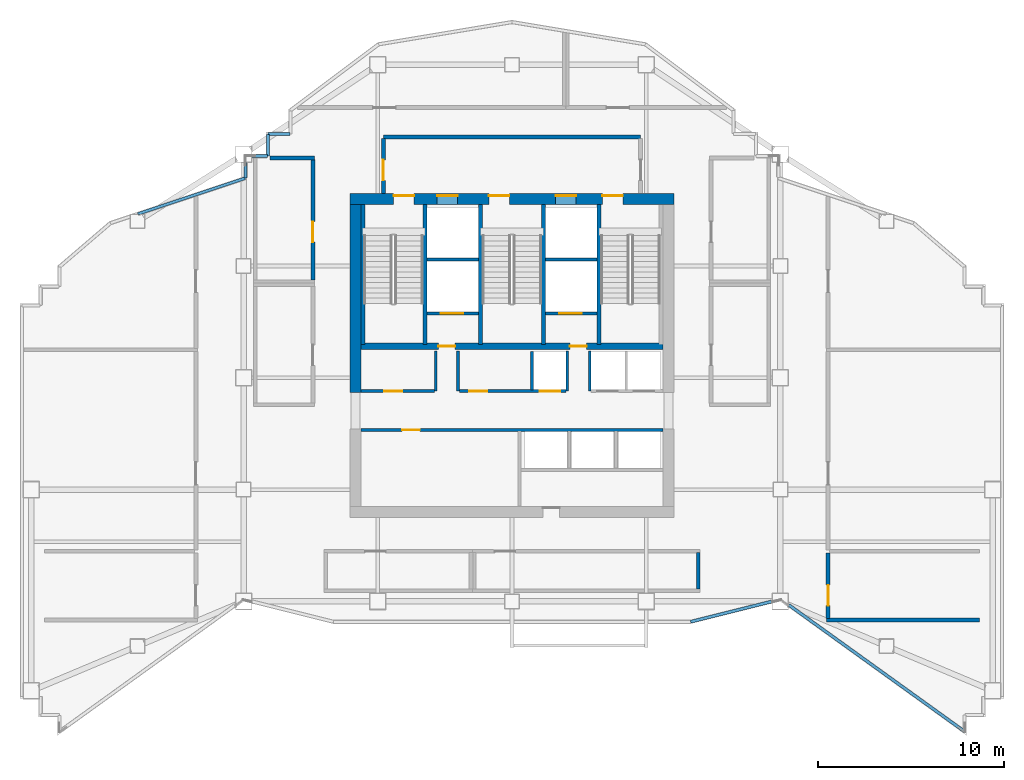
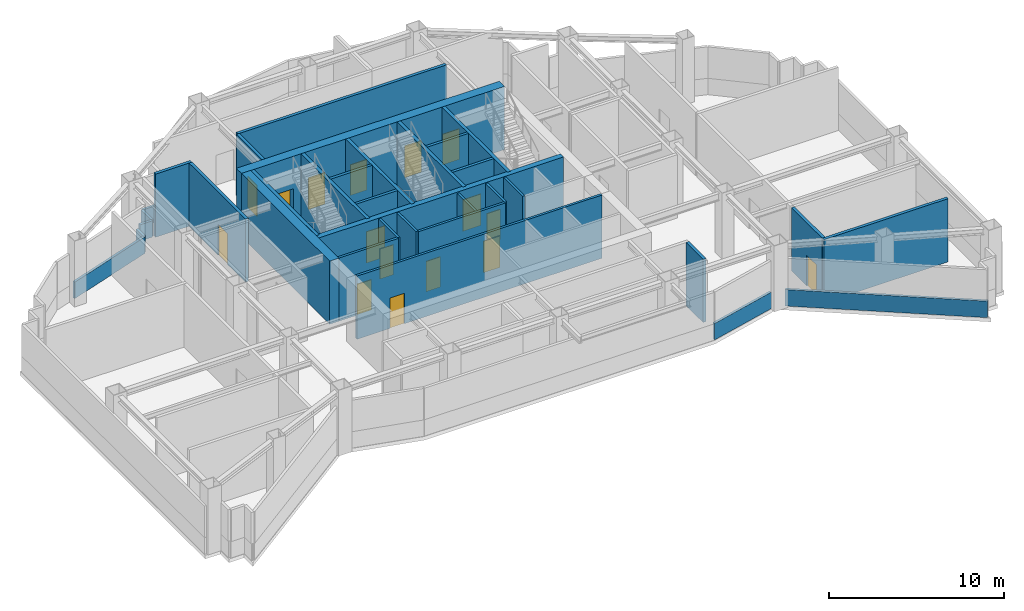
# One storey, part 3 of 9: 34 walls, 16 doors, 16 openings.
"""IFC4 building model written with IfcOpenShell, lengths in metres."""

from ifc_helpers import new_model, si_unit, direction, frame, frame_2d, origin, place, context, subcontext, project, spatial, rectangle, extrude, material, layer, layer_set, type_object, element, fill, save


model = new_model("IFC4")

# Units and contexts
model_context = context("Model", 3, precision=1e-05, world=origin(), true_north=direction((0.0, 1.0)))
body_context = subcontext(model_context, "Body", "Model", "MODEL_VIEW")
ifc_project = project(units=[si_unit("LENGTHUNIT", "METRE"), si_unit("AREAUNIT", "SQUARE_METRE"), si_unit("VOLUMEUNIT", "CUBIC_METRE"), si_unit("PLANEANGLEUNIT", "RADIAN"), si_unit("MASSUNIT", "GRAM", prefix="KILO")], contexts=[model_context])

# Site, building, storey
site_placement = place(None, origin())
site = spatial("IfcSite", under=ifc_project, at=site_placement, CompositionType="ELEMENT")
building_placement = place(site_placement, origin())
building = spatial("IfcBuilding", under=site, at=building_placement, Name="Haolan Belvedere Tower", CompositionType="ELEMENT")
storey_placement = place(building_placement, frame((0.0, 0.0, 207.0)))
storey = spatial("IfcBuildingStorey", under=building, at=storey_placement, Name="L52", CompositionType="ELEMENT", Elevation=207.0)

# Wall, openings, doors
ifc_material_1 = material(Name="Concrete C60/75", Category="concrete")
ifc_layer_1 = layer(ifc_material_1, 0.60009765625, Name="Concrete C60/75")
ifc_layer_set_1 = layer_set([ifc_layer_1], Name="Concrete C60/75")
wall_type_1 = type_object("IfcWallType", Name="WL-CORE-600", PredefinedType="SHEAR", material=ifc_layer_set_1)
wall_1_placement = place(storey_placement, frame((29.699951171875, 43.199951171875, 0.0), z_axis=(0.0, 0.0, 1.0), x_axis=(1.0, 0.0, 0.0)))
wall_1 = element("IfcWall", 1, at=wall_1_placement, inside=storey, type_object=wall_type_1, Name="L52 central core north shear wall", PredefinedType="SHEAR", context=body_context, shape_type="SweptSolid", body=[
    extrude(rectangle(XDim=17.400146484375, YDim=0.60009765625, at=frame_2d((8.7001953125, 0.0))), origin(), (0.0, 0.0, 1.0), 4.419921875),
])
opening_1_placement = place(wall_1_placement, frame((2.35009765625, 0.0, 0.0)))
opening_1 = element("IfcOpeningElement", 2, at=opening_1_placement, cuts=wall_1, Name="Opening FD-03", PredefinedType="OPENING", context=body_context, shape_type="SweptSolid", body=[
    extrude(rectangle(XDim=1.10009765625, YDim=2.14990234375, at=frame_2d((0.550048828125, 1.074951171875))), frame((0.0, 0.31005859375, 0.0), z_axis=(0.0, -1.0, 0.0), x_axis=(1.0, 0.0, 0.0)), (0.0, 0.0, 1.0), 0.6201171875),
])
opening_2_placement = place(wall_1_placement, frame((7.4599609375, 0.0, 0.0)))
opening_2 = element("IfcOpeningElement", 3, at=opening_2_placement, cuts=wall_1, Name="Opening FD-03", PredefinedType="OPENING", context=body_context, shape_type="SweptSolid", body=[
    extrude(rectangle(XDim=1.10009765625, YDim=2.14990234375, at=frame_2d((0.550048828125, 1.074951171875))), frame((0.0, 0.31005859375, 0.0), z_axis=(0.0, -1.0, 0.0), x_axis=(1.0, 0.0, 0.0)), (0.0, 0.0, 1.0), 0.6201171875),
])
opening_3_placement = place(wall_1_placement, frame((13.550048828125, 0.0, 0.0)))
opening_3 = element("IfcOpeningElement", 4, at=opening_3_placement, cuts=wall_1, Name="Opening FD-03", PredefinedType="OPENING", context=body_context, shape_type="SweptSolid", body=[
    extrude(rectangle(XDim=1.10009765625, YDim=2.14990234375, at=frame_2d((0.550048828125, 1.074951171875))), frame((0.0, 0.31005859375, 0.0), z_axis=(0.0, -1.0, 0.0), x_axis=(1.0, 0.0, 0.0)), (0.0, 0.0, 1.0), 0.6201171875),
])
opening_4_placement = place(wall_1_placement, frame((4.679931640625, 0.0, 0.0)))
opening_4 = element("IfcOpeningElement", 5, at=opening_4_placement, cuts=wall_1, Name="Opening LD-01", PredefinedType="OPENING", context=body_context, shape_type="SweptSolid", body=[
    extrude(rectangle(XDim=1.10009765625, YDim=2.199951171875, at=frame_2d((0.550048828125, 1.10009765625))), frame((0.0, 0.31005859375, 0.0), z_axis=(0.0, -1.0, 0.0), x_axis=(1.0, 0.0, 0.0)), (0.0, 0.0, 1.0), 0.6201171875),
])
opening_5_placement = place(wall_1_placement, frame((11.0400390625, 0.0, 0.0)))
opening_5 = element("IfcOpeningElement", 6, at=opening_5_placement, cuts=wall_1, Name="Opening LD-01", PredefinedType="OPENING", context=body_context, shape_type="SweptSolid", body=[
    extrude(rectangle(XDim=1.10009765625, YDim=2.199951171875, at=frame_2d((0.550048828125, 1.10009765625))), frame((0.0, 0.31005859375, 0.0), z_axis=(0.0, -1.0, 0.0), x_axis=(1.0, 0.0, 0.0)), (0.0, 0.0, 1.0), 0.6201171875),
])
ifc_material_2 = material(Name="Galvanised fire-rated steel", Category="steel")
door_type_1 = type_object("IfcDoorType", Name="DR-FD90-1100", OperationType="NOTDEFINED", PredefinedType="DOOR", material=ifc_material_2)
door_1_placement = place(opening_1_placement, origin())
door_1 = element("IfcDoor", 7, at=door_1_placement, inside=storey, type_object=door_type_1, Name="L52 door CD-L52-ST1", OperationType="SINGLE_SWING_LEFT", OverallHeight=2.14990234375, OverallWidth=1.10009765625, PredefinedType="DOOR", context=body_context, shape_type="SweptSolid", body=[
    extrude(rectangle(XDim=1.10009765625, YDim=2.14990234375, at=frame_2d((0.550048828125, 1.074951171875))), frame((0.0, 0.18505859375, 0.0), z_axis=(0.0, -1.0, 0.0), x_axis=(1.0, 0.0, 0.0)), (0.0, 0.0, 1.0), 0.050048828125),
])
fill(opening_1, door_1)
door_2_placement = place(opening_2_placement, origin())
door_2 = element("IfcDoor", 8, at=door_2_placement, inside=storey, type_object=door_type_1, Name="L52 door CD-L52-ST3", OperationType="SINGLE_SWING_LEFT", OverallHeight=2.14990234375, OverallWidth=1.10009765625, PredefinedType="DOOR", context=body_context, shape_type="SweptSolid", body=[
    extrude(rectangle(XDim=1.10009765625, YDim=2.14990234375, at=frame_2d((0.550048828125, 1.074951171875))), frame((0.0, 0.18505859375, 0.0), z_axis=(0.0, -1.0, 0.0), x_axis=(1.0, 0.0, 0.0)), (0.0, 0.0, 1.0), 0.050048828125),
])
fill(opening_2, door_2)
door_3_placement = place(opening_3_placement, origin())
door_3 = element("IfcDoor", 9, at=door_3_placement, inside=storey, type_object=door_type_1, Name="L52 door CD-L52-ST2", OperationType="SINGLE_SWING_RIGHT", OverallHeight=2.14990234375, OverallWidth=1.10009765625, PredefinedType="DOOR", context=body_context, shape_type="SweptSolid", body=[
    extrude(rectangle(XDim=1.10009765625, YDim=2.14990234375, at=frame_2d((0.550048828125, 1.074951171875))), frame((0.0, 0.18505859375, 0.0), z_axis=(0.0, -1.0, 0.0), x_axis=(1.0, 0.0, 0.0)), (0.0, 0.0, 1.0), 0.050048828125),
])
fill(opening_3, door_3)
ifc_material_3 = material(Name="Brushed champagne stainless steel 316L", Category="steel")
door_type_2 = type_object("IfcDoorType", Name="DR-LIFT-1100", OperationType="SLIDING_TO_LEFT", PredefinedType="DOOR", material=ifc_material_3)
door_4_placement = place(opening_4_placement, origin())
door_4 = element("IfcDoor", 10, at=door_4_placement, inside=storey, type_object=door_type_2, Name="L52 door LD-L52-FF1", OperationType="SLIDING_TO_LEFT", OverallHeight=2.199951171875, OverallWidth=1.10009765625, PredefinedType="DOOR", context=body_context, shape_type="SweptSolid", body=[
    extrude(rectangle(XDim=1.10009765625, YDim=2.199951171875, at=frame_2d((0.550048828125, 1.10009765625))), frame((0.0, 0.18505859375, 0.0), z_axis=(0.0, -1.0, 0.0), x_axis=(1.0, 0.0, 0.0)), (0.0, 0.0, 1.0), 0.050048828125),
])
fill(opening_4, door_4)
door_5_placement = place(opening_5_placement, origin())
door_5 = element("IfcDoor", 11, at=door_5_placement, inside=storey, type_object=door_type_2, Name="L52 door LD-L52-FF2", OperationType="SLIDING_TO_LEFT", OverallHeight=2.199951171875, OverallWidth=1.10009765625, PredefinedType="DOOR", context=body_context, shape_type="SweptSolid", body=[
    extrude(rectangle(XDim=1.10009765625, YDim=2.199951171875, at=frame_2d((0.550048828125, 1.10009765625))), frame((0.0, 0.18505859375, 0.0), z_axis=(0.0, -1.0, 0.0), x_axis=(1.0, 0.0, 0.0)), (0.0, 0.0, 1.0), 0.050048828125),
])
fill(opening_5, door_5)

# Walls
wall_2_placement = place(storey_placement, frame((30.0, 32.800048828125, 0.0), z_axis=(0.0, 0.0, 1.0), x_axis=(0.0, 1.0, 0.0)))
element("IfcWall", 12, at=wall_2_placement, inside=storey, type_object=wall_type_1, Name="L52 central core shear wall WN", PredefinedType="SHEAR", context=body_context, shape_type="SweptSolid", body=[
    extrude(rectangle(XDim=10.099853515625, YDim=0.60009765625, at=frame_2d((5.0498046875, 0.0))), origin(), (0.0, 0.0, 1.0), 4.419921875),
])
ifc_material_4 = material(Name="Concrete C40/50", Category="concrete")
ifc_layer_2 = layer(ifc_material_4, 0.199951171875, Name="Concrete C40/50")
ifc_layer_set_2 = layer_set([ifc_layer_2], Name="Concrete C40/50")
wall_type_2 = type_object("IfcWallType", Name="WL-FIRE-200", PredefinedType="SOLIDWALL", material=ifc_layer_set_2)
wall_3_placement = place(storey_placement, frame((31.5, 46.52001953125, 0.0), z_axis=(0.0, 0.0, 1.0), x_axis=(1.0, 0.0, 0.0)))
element("IfcWall", 13, at=wall_3_placement, inside=storey, type_object=wall_type_2, Name="L52 interior partition IW-L52-FFL-N", PredefinedType="SOLIDWALL", context=body_context, shape_type="SweptSolid", body=[
    extrude(rectangle(XDim=13.800048828125, YDim=0.199951171875, at=frame_2d((6.89990234375, 0.0))), origin(), (0.0, 0.0, 1.0), 4.419921875),
])

# Wall, opening, door
wall_4_placement = place(storey_placement, frame((31.5, 43.5, 0.0), z_axis=(0.0, 0.0, 1.0), x_axis=(0.0, 1.0, 0.0)))
wall_4 = element("IfcWall", 14, at=wall_4_placement, inside=storey, type_object=wall_type_2, Name="L52 interior partition IW-L52-FFL-W", PredefinedType="SOLIDWALL", context=body_context, shape_type="SweptSolid", body=[
    extrude(rectangle(XDim=2.93505859375, YDim=0.199951171875, at=frame_2d((1.467529296875, 0.0))), origin(), (0.0, 0.0, 1.0), 4.419921875),
])
opening_6_placement = place(wall_4_placement, frame((1.800048828125, 0.0, 0.0), z_axis=(0.0, 0.0, 1.0), x_axis=(-1.0, 0.0, 0.0)))
opening_6 = element("IfcOpeningElement", 15, at=opening_6_placement, cuts=wall_4, Name="Opening FD-03", PredefinedType="OPENING", context=body_context, shape_type="SweptSolid", body=[
    extrude(rectangle(XDim=1.10009765625, YDim=2.14990234375, at=frame_2d((0.550048828125, 1.074951171875))), frame((0.0, 0.10986328125, 0.0), z_axis=(0.0, -1.0, 0.0), x_axis=(1.0, 0.0, 0.0)), (0.0, 0.0, 1.0), 0.219970703125),
])
door_6_placement = place(opening_6_placement, origin())
door_6 = element("IfcDoor", 16, at=door_6_placement, inside=storey, type_object=door_type_1, Name="L52 door ID-L52-FFL-DW", OperationType="SINGLE_SWING_LEFT", OverallHeight=2.14990234375, OverallWidth=1.10009765625, PredefinedType="DOOR", context=body_context, shape_type="SweptSolid", body=[
    extrude(rectangle(XDim=1.10009765625, YDim=2.14990234375, at=frame_2d((0.550048828125, 1.074951171875))), frame((0.0, 0.02490234375, 0.0), z_axis=(0.0, -1.0, 0.0), x_axis=(1.0, 0.0, 0.0)), (0.0, 0.0, 1.0), 0.050048828125),
])
fill(opening_6, door_6)

# Wall
wall_5_placement = place(storey_placement, frame((25.412109375, 45.39990234375, 0.0), z_axis=(0.0, 0.0, 1.0), x_axis=(1.0, 0.0, 0.0)))
element("IfcWall", 17, at=wall_5_placement, inside=storey, type_object=wall_type_2, Name="L52 interior partition IW-L52-REF-WI2-N", PredefinedType="SOLIDWALL", context=body_context, shape_type="SweptSolid", body=[
    extrude(rectangle(XDim=2.387939453125, YDim=0.199951171875, at=frame_2d((1.19384765625, 0.0))), origin(), (0.0, 0.0, 1.0), 4.419921875),
])

# Wall, opening, door
wall_6_placement = place(storey_placement, frame((27.719970703125, 38.844970703125, 0.0), z_axis=(0.0, 0.0, 1.0), x_axis=(0.0, 1.0, 0.0)))
wall_6 = element("IfcWall", 18, at=wall_6_placement, inside=storey, type_object=wall_type_2, Name="L52 interior partition IW-L52-REF-WI2-E", PredefinedType="SOLIDWALL", context=body_context, shape_type="SweptSolid", body=[
    extrude(rectangle(XDim=6.469970703125, YDim=0.199951171875, at=frame_2d((3.23486328125, 0.0))), origin(), (0.0, 0.0, 1.0), 4.419921875),
])
opening_7_placement = place(wall_6_placement, frame((3.135009765625, 0.0, 0.0), z_axis=(0.0, 0.0, 1.0), x_axis=(-1.0, 0.0, 0.0)))
opening_7 = element("IfcOpeningElement", 19, at=opening_7_placement, cuts=wall_6, Name="Opening FD-03", PredefinedType="OPENING", context=body_context, shape_type="SweptSolid", body=[
    extrude(rectangle(XDim=1.10009765625, YDim=2.14990234375, at=frame_2d((0.550048828125, 1.074951171875))), frame((0.0, 0.10986328125, 0.0), z_axis=(0.0, -1.0, 0.0), x_axis=(1.0, 0.0, 0.0)), (0.0, 0.0, 1.0), 0.219970703125),
])
door_7_placement = place(opening_7_placement, origin())
door_7 = element("IfcDoor", 20, at=door_7_placement, inside=storey, type_object=door_type_1, Name="L52 door ID-L52-REF-WI2", OperationType="SINGLE_SWING_RIGHT", OverallHeight=2.14990234375, OverallWidth=1.10009765625, PredefinedType="DOOR", context=body_context, shape_type="SweptSolid", body=[
    extrude(rectangle(XDim=1.10009765625, YDim=2.14990234375, at=frame_2d((0.550048828125, 1.074951171875))), frame((0.0, 0.02490234375, 0.0), z_axis=(0.0, -1.0, 0.0), x_axis=(1.0, 0.0, 0.0)), (0.0, 0.0, 1.0), 0.050048828125),
])
fill(opening_7, door_7)

# Walls
wall_7_placement = place(storey_placement, frame((48.39990234375, 22.264892578125, 0.0), z_axis=(0.0, 0.0, 1.0), x_axis=(0.0, 1.0, 0.0)))
element("IfcWall", 21, at=wall_7_placement, inside=storey, type_object=wall_type_2, Name="L52 interior partition IW-L52-PLT-CHW-E", PredefinedType="SOLIDWALL", context=body_context, shape_type="SweptSolid", body=[
    extrude(rectangle(XDim=1.9501953125, YDim=0.199951171875, at=frame_2d((0.97509765625, 0.0))), origin(), (0.0, 0.0, 1.0), 4.419921875),
])
wall_8_placement = place(storey_placement, frame((55.280029296875, 20.60009765625, 0.0), z_axis=(0.0, 0.0, 1.0), x_axis=(1.0, 0.0, 0.0)))
element("IfcWall", 22, at=wall_8_placement, inside=storey, type_object=wall_type_2, Name="L52 interior partition IW-L52-PLT-TNK-S", PredefinedType="SOLIDWALL", context=body_context, shape_type="SweptSolid", body=[
    extrude(rectangle(XDim=8.199951171875, YDim=0.199951171875, at=frame_2d((4.10009765625, 0.0))), origin(), (0.0, 0.0, 1.0), 4.419921875),
])

# Wall, opening, door
wall_9_placement = place(storey_placement, frame((55.360107421875, 20.68505859375, 0.0), z_axis=(0.0, 0.0, 1.0), x_axis=(0.0, 1.0, 0.0)))
wall_9 = element("IfcWall", 23, at=wall_9_placement, inside=storey, type_object=wall_type_2, Name="L52 interior partition IW-L52-PLT-TNK-W", PredefinedType="SOLIDWALL", context=body_context, shape_type="SweptSolid", body=[
    extrude(rectangle(XDim=3.52001953125, YDim=0.199951171875, at=frame_2d((1.760009765625, 0.0))), origin(), (0.0, 0.0, 1.0), 4.419921875),
])
opening_8_placement = place(wall_9_placement, frame((0.68505859375, 0.0, 0.0)))
opening_8 = element("IfcOpeningElement", 24, at=opening_8_placement, cuts=wall_9, Name="Opening FD-03", PredefinedType="OPENING", context=body_context, shape_type="SweptSolid", body=[
    extrude(rectangle(XDim=1.10009765625, YDim=2.14990234375, at=frame_2d((0.550048828125, 1.074951171875))), frame((0.0, 0.10986328125, 0.0), z_axis=(0.0, -1.0, 0.0), x_axis=(1.0, 0.0, 0.0)), (0.0, 0.0, 1.0), 0.219970703125),
])
door_8_placement = place(opening_8_placement, origin())
door_8 = element("IfcDoor", 25, at=door_8_placement, inside=storey, type_object=door_type_1, Name="L52 door ID-L52-PLT-TNK", OperationType="SINGLE_SWING_LEFT", OverallHeight=2.14990234375, OverallWidth=1.10009765625, PredefinedType="DOOR", context=body_context, shape_type="SweptSolid", body=[
    extrude(rectangle(XDim=1.10009765625, YDim=2.14990234375, at=frame_2d((0.550048828125, 1.074951171875))), frame((0.0, 0.02490234375, 0.0), z_axis=(0.0, -1.0, 0.0), x_axis=(1.0, 0.0, 0.0)), (0.0, 0.0, 1.0), 0.050048828125),
])
fill(opening_8, door_8)

# Walls
ifc_material_5 = material(Name="Precast concrete C40/50", Category="concrete")
ifc_layer_3 = layer(ifc_material_5, 0.159912109375, Name="Precast concrete C40/50")
ifc_layer_set_3 = layer_set([ifc_layer_3], Name="Precast concrete C40/50")
wall_type_3 = type_object("IfcWallType", Name="WL-PAR-160", PredefinedType="PARAPET", material=ifc_layer_set_3)
wall_10_placement = place(storey_placement, frame((47.986572265625, 20.510009765625, 0.0), z_axis=(0.0, 0.0, 1.0), x_axis=(0.970145687294, 0.242522876086, 0.0)))
element("IfcWall", 26, at=wall_10_placement, inside=storey, type_object=wall_type_3, Name="L52 refuge open-band parapet 2.1", PredefinedType="PARAPET", context=body_context, shape_type="SweptSolid", body=[
    extrude(rectangle(XDim=4.505859375, YDim=0.159912109375, at=frame_2d((2.2529296875, 0.0))), origin(), (0.0, 0.0, 1.0), 1.14990234375),
])
wall_11_placement = place(storey_placement, frame((53.241943359375, 21.417236328125, 0.0), z_axis=(0.0, 0.0, 1.0), x_axis=(0.811537125723, -0.584300858782, 0.0)))
element("IfcWall", 27, at=wall_11_placement, inside=storey, type_object=wall_type_3, Name="L52 refuge open-band parapet 3.1", PredefinedType="PARAPET", context=body_context, shape_type="SweptSolid", body=[
    extrude(rectangle(XDim=11.64208984375, YDim=0.159912109375, at=frame_2d((5.821044921875, 0.0))), origin(), (0.0, 0.0, 1.0), 1.14990234375),
])
for number, where, z_axis, x_axis, name in (
    (28, (26.47998046875, 46.68994140625, 0.0), (0.0, 0.0, 1.0), (-1.0, 0.0, 0.0), "L52 refuge open-band parapet 25.1"),
    (29, (25.31005859375, 46.659912109375, 0.0), (0.0, 0.0, 1.0), (0.0, -1.0, 0.0), "L52 refuge open-band parapet 26.1"),
):
    element("IfcWall", number, at=place(storey_placement, frame(where, z_axis=z_axis, x_axis=x_axis)), inside=storey, type_object=wall_type_3, Name=name, PredefinedType="PARAPET", context=body_context, shape_type="SweptSolid", body=[
        extrude(rectangle(XDim=1.169921875, YDim=0.159912109375, at=frame_2d((0.5849609375, 0.0))), origin(), (0.0, 0.0, 1.0), 1.14990234375),
    ])
wall_12_placement = place(storey_placement, frame((25.280029296875, 45.489990234375, 0.0), z_axis=(0.0, 0.0, 1.0), x_axis=(-1.0, 0.0, 0.0)))
element("IfcWall", 30, at=wall_12_placement, inside=storey, type_object=wall_type_3, Name="L52 refuge open-band parapet 27.1", PredefinedType="PARAPET", context=body_context, shape_type="SweptSolid", body=[
    extrude(rectangle(XDim=0.838134765625, YDim=0.159912109375, at=frame_2d((0.4189453125, 0.0))), origin(), (0.0, 0.0, 1.0), 1.14990234375),
])
wall_13_placement = place(storey_placement, frame((24.110107421875, 45.157958984375, 0.0), z_axis=(0.0, 0.0, 1.0), x_axis=(0.0, -1.0, 0.0)))
element("IfcWall", 31, at=wall_13_placement, inside=storey, type_object=wall_type_3, Name="L52 refuge open-band parapet 28.1", PredefinedType="PARAPET", context=body_context, shape_type="SweptSolid", body=[
    extrude(rectangle(XDim=0.837158203125, YDim=0.159912109375, at=frame_2d((0.41845703125, 0.0))), origin(), (0.0, 0.0, 1.0), 1.14990234375),
])
wall_14_placement = place(storey_placement, frame((24.08154296875, 44.311279296875, 0.0), z_axis=(0.0, 0.0, 1.0), x_axis=(-0.948687320562, -0.316215698225, 0.0)))
element("IfcWall", 32, at=wall_14_placement, inside=storey, type_object=wall_type_3, Name="L52 refuge open-band parapet 29.1", PredefinedType="PARAPET", context=body_context, shape_type="SweptSolid", body=[
    extrude(rectangle(XDim=6.0693359375, YDim=0.159912109375, at=frame_2d((3.03466796875, 0.0))), origin(), (0.0, 0.0, 1.0), 1.14990234375),
])
ifc_material_6 = material(Name="Gypsum fire shaftwall assembly", Category="masonry")
ifc_layer_4 = layer(ifc_material_6, 0.1650390625, Name="Gypsum fire shaftwall assembly")
ifc_layer_set_4 = layer_set([ifc_layer_4], Name="Gypsum fire shaftwall assembly")
wall_type_4 = type_object("IfcWallType", Name="WL-SHAFT-160", PredefinedType="SOLIDWALL", material=ifc_layer_set_4)
for number, where, z_axis, x_axis, name in (
    (33, (34.31005859375, 32.8798828125, 0.0), (0.0, 0.0, 1.0), (0.0, 1.0, 0.0), "L52 interior partition IW-L52-SVP-W-SV1"),
    (34, (35.510009765625, 32.8798828125, 0.0), (0.0, 0.0, 1.0), (0.0, 1.0, 0.0), "L52 interior partition IW-L52-SVP-E-SV1"),
    (35, (41.3701171875, 32.8798828125, 0.0), (0.0, 0.0, 1.0), (0.0, 1.0, 0.0), "L52 interior partition IW-L52-SVP-W-SV2"),
    (36, (42.570068359375, 32.8798828125, 0.0), (0.0, 0.0, 1.0), (0.0, 1.0, 0.0), "L52 interior partition IW-L52-SVP-E-SV2"),
):
    element("IfcWall", number, at=place(storey_placement, frame(where, z_axis=z_axis, x_axis=x_axis)), inside=storey, type_object=wall_type_4, Name=name, PredefinedType="SOLIDWALL", context=body_context, shape_type="SweptSolid", body=[
        extrude(rectangle(XDim=2.170166015625, YDim=0.14990234375, at=frame_2d((1.0849609375, 0.0))), origin(), (0.0, 0.0, 1.0), 4.419921875),
    ])

# Wall, opening, door
wall_15_placement = place(storey_placement, frame((30.300048828125, 32.8798828125, 0.0), z_axis=(0.0, 0.0, 1.0), x_axis=(1.0, 0.0, 0.0)))
wall_15 = element("IfcWall", 37, at=wall_15_placement, inside=storey, type_object=wall_type_4, Name="L52 interior partition IW-L52-ROW-PN1", PredefinedType="SOLIDWALL", context=body_context, shape_type="SweptSolid", body=[
    extrude(rectangle(XDim=3.949951171875, YDim=0.159912109375, at=frame_2d((1.97509765625, 0.0))), origin(), (0.0, 0.0, 1.0), 4.419921875),
])
opening_9_placement = place(wall_15_placement, frame((2.199951171875, 0.0, 0.0), z_axis=(0.0, 0.0, 1.0), x_axis=(-1.0, 0.0, 0.0)))
opening_9 = element("IfcOpeningElement", 38, at=opening_9_placement, cuts=wall_15, Name="Opening ID-03", PredefinedType="OPENING", context=body_context, shape_type="SweptSolid", body=[
    extrude(rectangle(XDim=0.949951171875, YDim=2.1201171875, at=frame_2d((0.47509765625, 1.06005859375))), frame((0.0, 0.08984375, 0.0), z_axis=(0.0, -1.0, 0.0), x_axis=(1.0, 0.0, 0.0)), (0.0, 0.0, 1.0), 0.179931640625),
])
ifc_material_7 = material(Name="Painted solid-core timber", Category="wood")
door_type_3 = type_object("IfcDoorType", Name="DR-INT-950", OperationType="NOTDEFINED", PredefinedType="DOOR", material=ifc_material_7)
door_9_placement = place(opening_9_placement, origin())
door_9 = element("IfcDoor", 39, at=door_9_placement, inside=storey, type_object=door_type_3, Name="L52 door ID-L52-CD-RPLW", OperationType="SINGLE_SWING_LEFT", OverallHeight=2.1201171875, OverallWidth=0.949951171875, PredefinedType="DOOR", context=body_context, shape_type="SweptSolid", body=[
    extrude(rectangle(XDim=0.949951171875, YDim=2.1201171875, at=frame_2d((0.47509765625, 1.06005859375))), frame((0.0, 0.02490234375, 0.0), z_axis=(0.0, -1.0, 0.0), x_axis=(1.0, 0.0, 0.0)), (0.0, 0.0, 1.0), 0.050048828125),
])
fill(opening_9, door_9)

# Wall, openings, doors
wall_16_placement = place(storey_placement, frame((35.570068359375, 32.8798828125, 0.0), z_axis=(0.0, 0.0, 1.0), x_axis=(1.0, 0.0, 0.0)))
wall_16 = element("IfcWall", 40, at=wall_16_placement, inside=storey, type_object=wall_type_4, Name="L52 interior partition IW-L52-ROW-PN2", PredefinedType="SOLIDWALL", context=body_context, shape_type="SweptSolid", body=[
    extrude(rectangle(XDim=5.739990234375, YDim=0.159912109375, at=frame_2d((2.8701171875, 0.0))), origin(), (0.0, 0.0, 1.0), 4.419921875),
])
opening_10_placement = place(wall_16_placement, frame((1.489990234375, 0.0, 0.0), z_axis=(0.0, 0.0, 1.0), x_axis=(-1.0, 0.0, 0.0)))
opening_10 = element("IfcOpeningElement", 41, at=opening_10_placement, cuts=wall_16, Name="Opening ID-03", PredefinedType="OPENING", context=body_context, shape_type="SweptSolid", body=[
    extrude(rectangle(XDim=0.949951171875, YDim=2.1201171875, at=frame_2d((0.47509765625, 1.06005859375))), frame((0.0, 0.08984375, 0.0), z_axis=(0.0, -1.0, 0.0), x_axis=(1.0, 0.0, 0.0)), (0.0, 0.0, 1.0), 0.179931640625),
])
opening_11_placement = place(wall_16_placement, frame((5.43017578125, 0.0, 0.0), z_axis=(0.0, 0.0, 1.0), x_axis=(-1.0, 0.0, 0.0)))
opening_11 = element("IfcOpeningElement", 42, at=opening_11_placement, cuts=wall_16, Name="Opening LD-01", PredefinedType="OPENING", context=body_context, shape_type="SweptSolid", body=[
    extrude(rectangle(XDim=1.10009765625, YDim=2.199951171875, at=frame_2d((0.550048828125, 1.10009765625))), frame((0.0, 0.08984375, 0.0), z_axis=(0.0, -1.0, 0.0), x_axis=(1.0, 0.0, 0.0)), (0.0, 0.0, 1.0), 0.179931640625),
])
door_10_placement = place(opening_10_placement, origin())
door_10 = element("IfcDoor", 43, at=door_10_placement, inside=storey, type_object=door_type_3, Name="L52 door ID-L52-CD-RPLE", OperationType="SINGLE_SWING_RIGHT", OverallHeight=2.1201171875, OverallWidth=0.949951171875, PredefinedType="DOOR", context=body_context, shape_type="SweptSolid", body=[
    extrude(rectangle(XDim=0.949951171875, YDim=2.1201171875, at=frame_2d((0.47509765625, 1.06005859375))), frame((0.0, 0.02490234375, 0.0), z_axis=(0.0, -1.0, 0.0), x_axis=(1.0, 0.0, 0.0)), (0.0, 0.0, 1.0), 0.050048828125),
])
fill(opening_10, door_10)
door_11_placement = place(opening_11_placement, origin())
door_11 = element("IfcDoor", 44, at=door_11_placement, inside=storey, type_object=door_type_2, Name="L52 door ID-L52-LD-PH1", OperationType="SLIDING_TO_RIGHT", OverallHeight=2.199951171875, OverallWidth=1.10009765625, PredefinedType="DOOR", context=body_context, shape_type="SweptSolid", body=[
    extrude(rectangle(XDim=1.10009765625, YDim=2.199951171875, at=frame_2d((0.550048828125, 1.10009765625))), frame((0.0, 0.02490234375, 0.0), z_axis=(0.0, -1.0, 0.0), x_axis=(1.0, 0.0, 0.0)), (0.0, 0.0, 1.0), 0.050048828125),
])
fill(opening_11, door_11)

# Wall
wall_17_placement = place(storey_placement, frame((39.469970703125, 32.949951171875, 0.0), z_axis=(0.0, 0.0, 1.0), x_axis=(0.0, 1.0, 0.0)))
element("IfcWall", 45, at=wall_17_placement, inside=storey, type_object=wall_type_4, Name="L52 interior partition IW-L52-DIV-PL4R", PredefinedType="SOLIDWALL", context=body_context, shape_type="SweptSolid", body=[
    extrude(rectangle(XDim=2.050048828125, YDim=0.14990234375, at=frame_2d((1.02490234375, 0.0))), origin(), (0.0, 0.0, 1.0), 4.419921875),
])

# Wall, opening, door
wall_18_placement = place(storey_placement, frame((30.300048828125, 30.800048828125, 0.0), z_axis=(0.0, 0.0, 1.0), x_axis=(1.0, 0.0, 0.0)))
wall_18 = element("IfcWall", 46, at=wall_18_placement, inside=storey, type_object=wall_type_4, Name="L52 interior partition IW-L52-ROW-PS", PredefinedType="SOLIDWALL", context=body_context, shape_type="SweptSolid", body=[
    extrude(rectangle(XDim=16.199951171875, YDim=0.159912109375, at=frame_2d((8.10009765625, 0.0))), origin(), (0.0, 0.0, 1.0), 4.419921875),
])
opening_12_placement = place(wall_18_placement, frame((2.199951171875, 0.0, 0.0)))
opening_12 = element("IfcOpeningElement", 47, at=opening_12_placement, cuts=wall_18, Name="Opening ID-03", PredefinedType="OPENING", context=body_context, shape_type="SweptSolid", body=[
    extrude(rectangle(XDim=0.949951171875, YDim=2.1201171875, at=frame_2d((0.47509765625, 1.06005859375))), frame((0.0, 0.08984375, 0.0), z_axis=(0.0, -1.0, 0.0), x_axis=(1.0, 0.0, 0.0)), (0.0, 0.0, 1.0), 0.179931640625),
])
door_12_placement = place(opening_12_placement, origin())
door_12 = element("IfcDoor", 48, at=door_12_placement, inside=storey, type_object=door_type_3, Name="L52 door ID-L52-CD-RPMA", OperationType="SINGLE_SWING_LEFT", OverallHeight=2.1201171875, OverallWidth=0.949951171875, PredefinedType="DOOR", context=body_context, shape_type="SweptSolid", body=[
    extrude(rectangle(XDim=0.949951171875, YDim=2.1201171875, at=frame_2d((0.47509765625, 1.06005859375))), frame((0.0, 0.02490234375, 0.0), z_axis=(0.0, -1.0, 0.0), x_axis=(1.0, 0.0, 0.0)), (0.0, 0.0, 1.0), 0.050048828125),
])
fill(opening_12, door_12)

# Walls
ifc_layer_5 = layer(ifc_material_5, 0.179931640625, Name="Precast concrete C40/50")
ifc_layer_set_5 = layer_set([ifc_layer_5], Name="Precast concrete C40/50")
wall_type_5 = type_object("IfcWallType", Name="WL-SHAFT-180", PredefinedType="SOLIDWALL", material=ifc_layer_set_5)
for number, where, z_axis, x_axis, name in (
    (49, (33.8349609375, 39.949951171875, 0.0), (0.0, 0.0, 1.0), (1.0, 0.0, 0.0), "L52 interior partition IW-L52-FF1-S"),
    (50, (40.195068359375, 39.949951171875, 0.0), (0.0, 0.0, 1.0), (1.0, 0.0, 0.0), "L52 interior partition IW-L52-FF2-S"),
):
    element("IfcWall", number, at=place(storey_placement, frame(where, z_axis=z_axis, x_axis=x_axis)), inside=storey, type_object=wall_type_5, Name=name, PredefinedType="SOLIDWALL", context=body_context, shape_type="SweptSolid", body=[
        extrude(rectangle(XDim=2.77001953125, YDim=0.179931640625, at=frame_2d((1.385009765625, 0.0))), origin(), (0.0, 0.0, 1.0), 4.419921875),
    ])

# Wall, opening, door
wall_19_placement = place(storey_placement, frame((33.8349609375, 37.050048828125, 0.0), z_axis=(0.0, 0.0, 1.0), x_axis=(1.0, 0.0, 0.0)))
wall_19 = element("IfcWall", 51, at=wall_19_placement, inside=storey, type_object=wall_type_5, Name="L52 interior partition IW-L52-SV1-S", PredefinedType="SOLIDWALL", context=body_context, shape_type="SweptSolid", body=[
    extrude(rectangle(XDim=2.77001953125, YDim=0.179931640625, at=frame_2d((1.385009765625, 0.0))), origin(), (0.0, 0.0, 1.0), 4.419921875),
])
opening_13_placement = place(wall_19_placement, frame((1.945068359375, 0.0, 0.0), z_axis=(0.0, 0.0, 1.0), x_axis=(-1.0, 0.0, 0.0)))
opening_13 = element("IfcOpeningElement", 52, at=opening_13_placement, cuts=wall_19, Name="Opening LD-02", PredefinedType="OPENING", context=body_context, shape_type="SweptSolid", body=[
    extrude(rectangle(XDim=1.199951171875, YDim=2.199951171875, at=frame_2d((0.60009765625, 1.10009765625))), frame((0.0, 0.099853515625, 0.0), z_axis=(0.0, -1.0, 0.0), x_axis=(1.0, 0.0, 0.0)), (0.0, 0.0, 1.0), 0.199951171875),
])
door_type_4 = type_object("IfcDoorType", Name="DR-LIFT-1200", OperationType="SLIDING_TO_RIGHT", PredefinedType="DOOR", material=ifc_material_3)
door_13_placement = place(opening_13_placement, origin())
door_13 = element("IfcDoor", 53, at=door_13_placement, inside=storey, type_object=door_type_4, Name="L52 door ID-L52-LD-SV1", OperationType="SLIDING_TO_RIGHT", OverallHeight=2.199951171875, OverallWidth=1.199951171875, PredefinedType="DOOR", context=body_context, shape_type="SweptSolid", body=[
    extrude(rectangle(XDim=1.199951171875, YDim=2.199951171875, at=frame_2d((0.60009765625, 1.10009765625))), frame((0.0, 0.02490234375, 0.0), z_axis=(0.0, -1.0, 0.0), x_axis=(1.0, 0.0, 0.0)), (0.0, 0.0, 1.0), 0.050048828125),
])
fill(opening_13, door_13)

wall_20_placement = place(storey_placement, frame((40.195068359375, 37.050048828125, 0.0), z_axis=(0.0, 0.0, 1.0), x_axis=(1.0, 0.0, 0.0)))
wall_20 = element("IfcWall", 54, at=wall_20_placement, inside=storey, type_object=wall_type_5, Name="L52 interior partition IW-L52-SV2-S", PredefinedType="SOLIDWALL", context=body_context, shape_type="SweptSolid", body=[
    extrude(rectangle(XDim=2.77001953125, YDim=0.179931640625, at=frame_2d((1.385009765625, 0.0))), origin(), (0.0, 0.0, 1.0), 4.419921875),
])
opening_14_placement = place(wall_20_placement, frame((1.945068359375, 0.0, 0.0), z_axis=(0.0, 0.0, 1.0), x_axis=(-1.0, 0.0, 0.0)))
opening_14 = element("IfcOpeningElement", 55, at=opening_14_placement, cuts=wall_20, Name="Opening LD-02", PredefinedType="OPENING", context=body_context, shape_type="SweptSolid", body=[
    extrude(rectangle(XDim=1.199951171875, YDim=2.199951171875, at=frame_2d((0.60009765625, 1.10009765625))), frame((0.0, 0.099853515625, 0.0), z_axis=(0.0, -1.0, 0.0), x_axis=(1.0, 0.0, 0.0)), (0.0, 0.0, 1.0), 0.199951171875),
])
door_14_placement = place(opening_14_placement, origin())
door_14 = element("IfcDoor", 56, at=door_14_placement, inside=storey, type_object=door_type_4, Name="L52 door ID-L52-LD-SV2", OperationType="SLIDING_TO_RIGHT", OverallHeight=2.199951171875, OverallWidth=1.199951171875, PredefinedType="DOOR", context=body_context, shape_type="SweptSolid", body=[
    extrude(rectangle(XDim=1.199951171875, YDim=2.199951171875, at=frame_2d((0.60009765625, 1.10009765625))), frame((0.0, 0.02490234375, 0.0), z_axis=(0.0, -1.0, 0.0), x_axis=(1.0, 0.0, 0.0)), (0.0, 0.0, 1.0), 0.050048828125),
])
fill(opening_14, door_14)

# Walls
ifc_material_8 = material(Name="Concrete C50/60", Category="concrete")
ifc_layer_6 = layer(ifc_material_8, 0.219970703125, Name="Concrete C50/60")
ifc_layer_set_6 = layer_set([ifc_layer_6], Name="Concrete C50/60")
wall_type_6 = type_object("IfcWallType", Name="WL-STAIR-220", PredefinedType="SHEAR", material=ifc_layer_set_6)
for number, where, z_axis, x_axis, name in (
    (57, (30.412109375, 35.389892578125, 0.0), (0.0, 0.0, 1.0), (0.0, 1.0, 0.0), "L52 structural stair core wall ST1W"),
    (58, (33.739990234375, 35.389892578125, 0.0), (0.0, 0.0, 1.0), (0.0, 1.0, 0.0), "L52 structural stair core wall ST1E"),
    (59, (36.699951171875, 35.389892578125, 0.0), (0.0, 0.0, 1.0), (0.0, 1.0, 0.0), "L52 structural stair core wall ST3W"),
    (60, (40.10009765625, 35.389892578125, 0.0), (0.0, 0.0, 1.0), (0.0, 1.0, 0.0), "L52 structural stair core wall ST3E"),
    (61, (43.06005859375, 35.389892578125, 0.0), (0.0, 0.0, 1.0), (0.0, 1.0, 0.0), "L52 structural stair core wall ST2W"),
):
    element("IfcWall", number, at=place(storey_placement, frame(where, z_axis=z_axis, x_axis=x_axis)), inside=storey, type_object=wall_type_6, Name=name, PredefinedType="SHEAR", context=body_context, shape_type="SweptSolid", body=[
        extrude(rectangle(XDim=7.510009765625, YDim=0.219970703125, at=frame_2d((3.7548828125, 0.0))), origin(), (0.0, 0.0, 1.0), 4.419921875),
    ])

# Wall, openings, doors
ifc_layer_7 = layer(ifc_material_1, 0.360107421875, Name="Concrete C60/75")
ifc_layer_set_7 = layer_set([ifc_layer_7], Name="Concrete C60/75")
wall_type_7 = type_object("IfcWallType", Name="WL-WEB-350", PredefinedType="SHEAR", material=ifc_layer_set_7)
wall_21_placement = place(storey_placement, frame((30.300048828125, 35.2900390625, 0.0), z_axis=(0.0, 0.0, 1.0), x_axis=(1.0, 0.0, 0.0)))
wall_21 = element("IfcWall", 62, at=wall_21_placement, inside=storey, type_object=wall_type_7, Name="L52 central core internal shear web", PredefinedType="SHEAR", context=body_context, shape_type="SweptSolid", body=[
    extrude(rectangle(XDim=16.199951171875, YDim=0.360107421875, at=frame_2d((8.10009765625, 0.0))), origin(), (0.0, 0.0, 1.0), 4.419921875),
])
opening_15_placement = place(wall_21_placement, frame((5.0498046875, 0.0, 0.0), z_axis=(0.0, 0.0, 1.0), x_axis=(-1.0, 0.0, 0.0)))
opening_15 = element("IfcOpeningElement", 63, at=opening_15_placement, cuts=wall_21, Name="Opening FD-05", PredefinedType="OPENING", context=body_context, shape_type="SweptSolid", body=[
    extrude(rectangle(XDim=0.89990234375, YDim=2.10009765625, at=frame_2d((0.449951171875, 1.050048828125))), frame((0.0, 0.18994140625, 0.0), z_axis=(0.0, -1.0, 0.0), x_axis=(1.0, 0.0, 0.0)), (0.0, 0.0, 1.0), 0.380126953125),
])
opening_16_placement = place(wall_21_placement, frame((12.10986328125, 0.0, 0.0), z_axis=(0.0, 0.0, 1.0), x_axis=(-1.0, 0.0, 0.0)))
opening_16 = element("IfcOpeningElement", 64, at=opening_16_placement, cuts=wall_21, Name="Opening FD-05", PredefinedType="OPENING", context=body_context, shape_type="SweptSolid", body=[
    extrude(rectangle(XDim=0.89990234375, YDim=2.10009765625, at=frame_2d((0.449951171875, 1.050048828125))), frame((0.0, 0.18994140625, 0.0), z_axis=(0.0, -1.0, 0.0), x_axis=(1.0, 0.0, 0.0)), (0.0, 0.0, 1.0), 0.380126953125),
])
door_type_5 = type_object("IfcDoorType", Name="DR-FD60-900", OperationType="NOTDEFINED", PredefinedType="DOOR", material=ifc_material_2)
door_15_placement = place(opening_15_placement, origin())
door_15 = element("IfcDoor", 65, at=door_15_placement, inside=storey, type_object=door_type_5, Name="L52 door CD-L52-SVL-SV1", OperationType="SINGLE_SWING_RIGHT", OverallHeight=2.10009765625, OverallWidth=0.89990234375, PredefinedType="DOOR", context=body_context, shape_type="SweptSolid", body=[
    extrude(rectangle(XDim=0.89990234375, YDim=2.10009765625, at=frame_2d((0.449951171875, 1.050048828125))), frame((0.0, 0.02490234375, 0.0), z_axis=(0.0, -1.0, 0.0), x_axis=(1.0, 0.0, 0.0)), (0.0, 0.0, 1.0), 0.050048828125),
])
fill(opening_15, door_15)
door_16_placement = place(opening_16_placement, origin())
door_16 = element("IfcDoor", 66, at=door_16_placement, inside=storey, type_object=door_type_5, Name="L52 door CD-L52-SVL-SV2", OperationType="SINGLE_SWING_RIGHT", OverallHeight=2.10009765625, OverallWidth=0.89990234375, PredefinedType="DOOR", context=body_context, shape_type="SweptSolid", body=[
    extrude(rectangle(XDim=0.89990234375, YDim=2.10009765625, at=frame_2d((0.449951171875, 1.050048828125))), frame((0.0, 0.02490234375, 0.0), z_axis=(0.0, -1.0, 0.0), x_axis=(1.0, 0.0, 0.0)), (0.0, 0.0, 1.0), 0.050048828125),
])
fill(opening_16, door_16)

save(model, "model.ifc")
